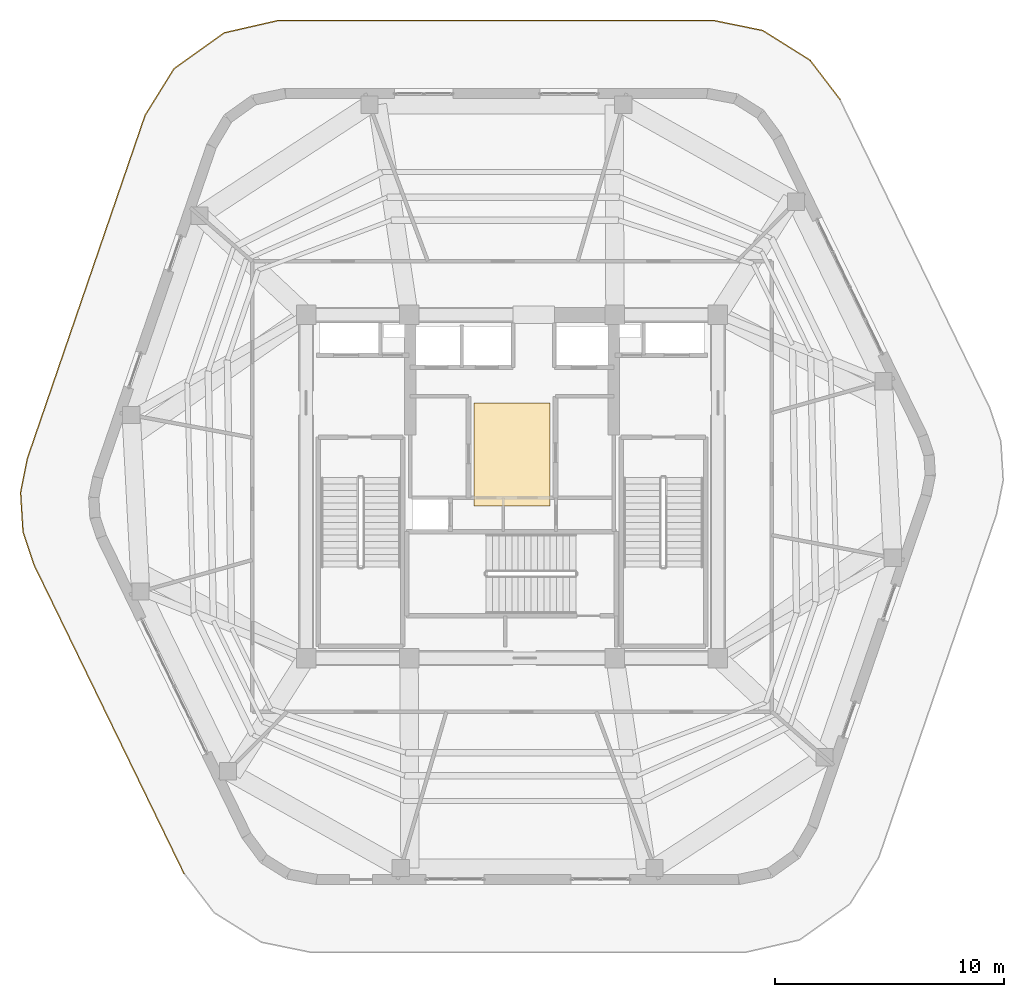
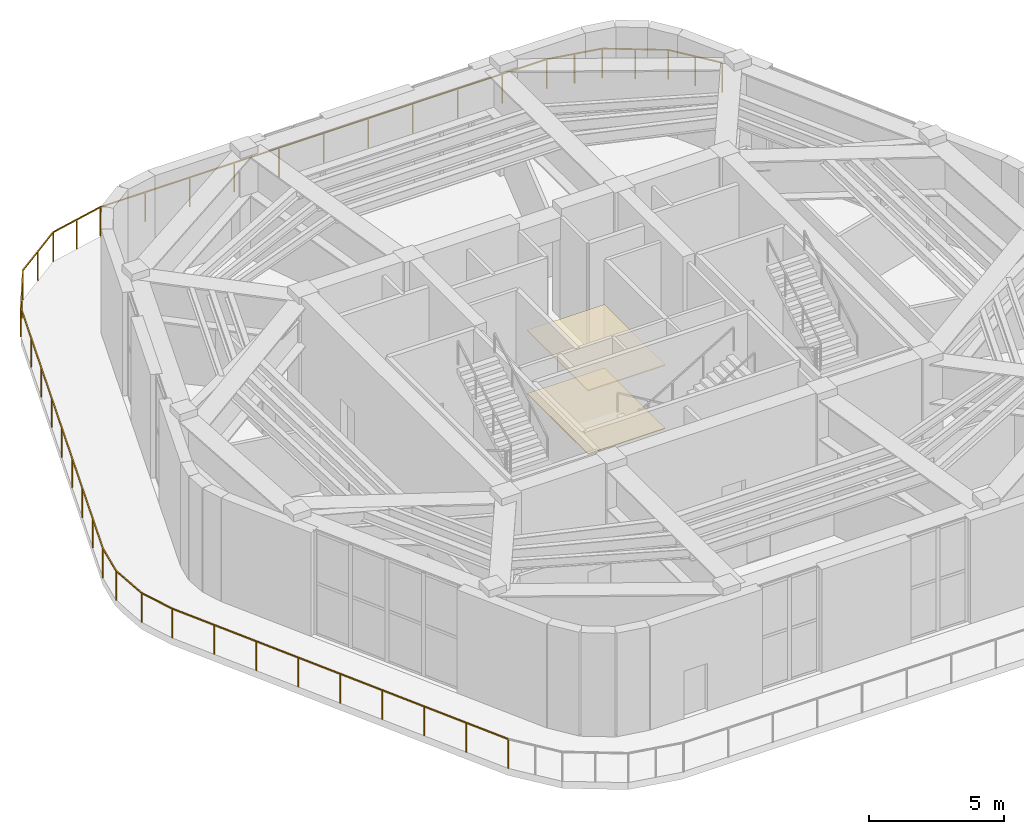
# One storey, part 23 of 24: 2 coverings, 1 railing.
"""IFC4 building model written with IfcOpenShell, lengths in metres."""

from ifc_helpers import new_model, si_unit, direction, frame, origin, origin_2d, place, context, subcontext, project, spatial, polyline, rectangle, outline, extrude, material, layer, layer_set, type_object, element, save


model = new_model("IFC4")

# Units and contexts
model_context = context("Model", 3, precision=1e-05, world=origin(), true_north=direction((0.0, 1.0)))
body_context = subcontext(model_context, "Body", "Model", "MODEL_VIEW")
ifc_project = project(units=[si_unit("LENGTHUNIT", "METRE"), si_unit("AREAUNIT", "SQUARE_METRE"), si_unit("VOLUMEUNIT", "CUBIC_METRE"), si_unit("PLANEANGLEUNIT", "RADIAN"), si_unit("MASSUNIT", "GRAM", prefix="KILO")], contexts=[model_context])

# Site, building, storey
site_placement = place(None, origin())
site = spatial("IfcSite", under=ifc_project, at=site_placement, CompositionType="ELEMENT")
building_placement = place(site_placement, origin())
building = spatial("IfcBuilding", under=site, at=building_placement, Name="Kilnhurst Terrace Hotel", CompositionType="ELEMENT")
storey_placement = place(building_placement, frame((0.0, 0.0, 305.39990234375)))
storey = spatial("IfcBuildingStorey", under=building, at=storey_placement, Name="L76", CompositionType="ELEMENT", Elevation=305.39990234375)

# Coverings
ifc_material_1 = material(Name="Perforated Micro-Acoustic Gypsum and Mineral Wool Ceiling")
ifc_layer_1 = layer(ifc_material_1, 0.050048828125, Name="Perforated Micro-Acoustic Gypsum and Mineral Wool Ceiling")
ifc_layer_set_1 = layer_set([ifc_layer_1], Name="Perforated Micro-Acoustic Gypsum and Mineral Wool Ceiling")
covering_type_1 = type_object("IfcCoveringType", Name="COV-CLG-AC60", PredefinedType="CEILING", material=ifc_layer_set_1)
covering_1_placement = place(storey_placement, frame((0.0, 0.0, 2.85009765625)))
element("IfcCovering", 1, at=covering_1_placement, inside=storey, type_object=covering_type_1, Name="L76 Lift Lobby Suspended Acoustic Ceiling", PredefinedType="CEILING", context=body_context, shape_type="SweptSolid", body=[
    extrude(outline(polyline([(-1.64990234375, -0.85009765625), (1.64990234375, -0.85009765625), (1.64990234375, 3.64990234375), (-1.64990234375, 3.64990234375), (-1.64990234375, -0.85009765625)])), origin(), (0.0, 0.0, 1.0), 0.050048828125),
])
ifc_material_2 = material(Name="Honed Texas Cream Limestone Tile Flooring", Category="masonry")
ifc_layer_2 = layer(ifc_material_2, 0.030029296875, Name="Honed Texas Cream Limestone Tile Flooring")
ifc_layer_set_2 = layer_set([ifc_layer_2], Name="Honed Texas Cream Limestone Tile Flooring")
covering_type_2 = type_object("IfcCoveringType", Name="COV-FLR-STN30", PredefinedType="FLOORING", material=ifc_layer_set_2)
covering_2_placement = place(storey_placement, origin())
element("IfcCovering", 2, at=covering_2_placement, inside=storey, type_object=covering_type_2, Name="L76 Lift Lobby Honed Limestone Flooring", PredefinedType="FLOORING", context=body_context, shape_type="SweptSolid", body=[
    extrude(outline(polyline([(-1.64990234375, -0.85009765625), (1.64990234375, -0.85009765625), (1.64990234375, 3.64990234375), (-1.64990234375, 3.64990234375), (-1.64990234375, -0.85009765625)])), origin(), (0.0, 0.0, 1.0), 0.030029296875),
])

# Railing
ifc_material_3 = material(Name="Laminated SentryGlas and Stainless Steel AISI 316L Balustrade", Category="steel")
ifc_layer_3 = layer(ifc_material_3, 0.080078125, Name="Laminated SentryGlas and Stainless Steel AISI 316L Balustrade")
ifc_layer_set_3 = layer_set([ifc_layer_3], Name="Laminated SentryGlas and Stainless Steel AISI 316L Balustrade")
railing_type = type_object("IfcRailingType", Name="RLG-OBS-1350", PredefinedType="BALUSTRADE", material=ifc_layer_set_3)
railing_placement = place(storey_placement, frame((14.336181640625, 16.916015625, 0.0)))
element("IfcRailing", 3, at=railing_placement, inside=storey, type_object=railing_type, Name="L76 Exterior Terrace Guardrail OBS-TERRACE.2", PredefinedType="BALUSTRADE", context=body_context, shape_type="SweptSolid", body=[
    extrude(rectangle(XDim=0.048095703125, YDim=0.048095703125, at=origin_2d()), frame((0.0, 0.0, 1.326171875), z_axis=(-0.607860482332, 0.794043848927, 0.0), x_axis=(-0.794043848927, -0.607860482332, 0.0)), (0.0, 0.0, 1.0), 2.16357421875),
    extrude(rectangle(XDim=0.048095703125, YDim=0.048095703125, at=origin_2d()), frame((-1.315185546875, 1.718017578125, 1.326171875), z_axis=(-0.847660710883, 0.530538706623, 0.0), x_axis=(-0.530538706623, -0.847660710883, 0.0)), (0.0, 0.0, 1.0), 2.43896484375),
    extrude(rectangle(XDim=0.048095703125, YDim=0.048095703125, at=origin_2d()), frame((-3.382568359375, 3.011962890625, 1.326171875), z_axis=(-0.979853655875, 0.199716832209, 0.0), x_axis=(-0.199716832209, -0.979853655875, 0.0)), (0.0, 0.0, 1.0), 2.163818359375),
    extrude(rectangle(XDim=0.048095703125, YDim=0.048095703125, at=origin_2d()), frame((-5.502685546875, 3.444091796875, 1.326171875), z_axis=(-1.0, 0.0, 0.0), x_axis=(0.0, -1.0, 0.0)), (0.0, 0.0, 1.0), 19.071533203125),
    extrude(rectangle(XDim=0.048095703125, YDim=0.048095703125, at=origin_2d()), frame((-24.57421875, 3.444091796875, 1.326171875), z_axis=(-0.97482878768, -0.222954781761, 0.0), x_axis=(0.222954781761, -0.97482878768, 0.0)), (0.0, 0.0, 1.0), 2.39697265625),
    extrude(rectangle(XDim=0.048095703125, YDim=0.048095703125, at=origin_2d()), frame((-26.910888671875, 2.90966796875, 1.326171875), z_axis=(-0.813806756231, -0.581135581007, 0.0), x_axis=(0.581135581007, -0.813806756231, 0.0)), (0.0, 0.0, 1.0), 2.700927734375),
    extrude(rectangle(XDim=0.048095703125, YDim=0.048095703125, at=origin_2d()), frame((-29.10888671875, 1.340087890625, 1.326171875), z_axis=(-0.52718537445, -0.849750305069, 0.0), x_axis=(0.849750305069, -0.52718537445, 0.0)), (0.0, 0.0, 1.0), 2.39697265625),
    extrude(rectangle(XDim=0.048095703125, YDim=0.048095703125, at=origin_2d()), frame((-30.37255859375, -0.69677734375, 1.326171875), z_axis=(-0.324518838659, -0.945879232965, 0.0), x_axis=(0.945879232965, -0.324518838659, 0.0)), (0.0, 0.0, 1.0), 15.851318359375),
    extrude(rectangle(XDim=0.048095703125, YDim=0.048095703125, at=origin_2d()), frame((-35.5166015625, -15.690185546875, 1.326171875), z_axis=(-0.195280843055, -0.980747364175, 0.0), x_axis=(0.980747364175, -0.195280843055, 0.0)), (0.0, 0.0, 1.0), 1.517822265625),
    extrude(rectangle(XDim=0.048095703125, YDim=0.048095703125, at=origin_2d()), frame((-35.81298828125, -17.1787109375, 1.326171875), z_axis=(0.060895492348, -0.998144147411, 0.0), x_axis=(0.998144147411, 0.060895492348, 0.0)), (0.0, 0.0, 1.0), 1.7119140625),
    extrude(rectangle(XDim=0.048095703125, YDim=0.048095703125, at=origin_2d()), frame((-35.708740234375, -18.887451171875, 1.326171875), z_axis=(0.312993062179, -0.949755412213, 0.0), x_axis=(0.949755412213, 0.312993062179, 0.0)), (0.0, 0.0, 1.0), 1.517822265625),
    extrude(rectangle(XDim=0.048095703125, YDim=0.048095703125, at=origin_2d()), frame((-35.233642578125, -20.3291015625, 1.326171875), z_axis=(0.437050199805, -0.89943711445, 0.0), x_axis=(0.89943711445, 0.437050199805, 0.0)), (0.0, 0.0, 1.0), 15.0126953125),
    extrude(rectangle(XDim=0.0419921875, YDim=0.0419921875, at=origin_2d()), origin(), (0.0, 0.0, 1.0), 1.302001953125),
    extrude(rectangle(XDim=0.0419921875, YDim=0.0419921875, at=origin_2d()), frame((-0.65771484375, 0.85888671875, 0.0)), (0.0, 0.0, 1.0), 1.302001953125),
    extrude(rectangle(XDim=0.0419921875, YDim=0.0419921875, at=origin_2d()), frame((-1.315185546875, 1.718017578125, 0.0)), (0.0, 0.0, 1.0), 1.302001953125),
    extrude(rectangle(XDim=0.0419921875, YDim=0.0419921875, at=origin_2d()), frame((-2.348876953125, 2.364990234375, 0.0)), (0.0, 0.0, 1.0), 1.302001953125),
    extrude(rectangle(XDim=0.0419921875, YDim=0.0419921875, at=origin_2d()), frame((-3.382568359375, 3.011962890625, 0.0)), (0.0, 0.0, 1.0), 1.302001953125),
    extrude(rectangle(XDim=0.0419921875, YDim=0.0419921875, at=origin_2d()), frame((-4.442626953125, 3.22802734375, 0.0)), (0.0, 0.0, 1.0), 1.302001953125),
    extrude(rectangle(XDim=0.0419921875, YDim=0.0419921875, at=origin_2d()), frame((-5.502685546875, 3.444091796875, 0.0)), (0.0, 0.0, 1.0), 1.302001953125),
    extrude(rectangle(XDim=0.0419921875, YDim=0.0419921875, at=origin_2d()), frame((-7.409912109375, 3.444091796875, 0.0)), (0.0, 0.0, 1.0), 1.302001953125),
    extrude(rectangle(XDim=0.0419921875, YDim=0.0419921875, at=origin_2d()), frame((-9.31689453125, 3.444091796875, 0.0)), (0.0, 0.0, 1.0), 1.302001953125),
    extrude(rectangle(XDim=0.0419921875, YDim=0.0419921875, at=origin_2d()), frame((-11.22412109375, 3.444091796875, 0.0)), (0.0, 0.0, 1.0), 1.302001953125),
    extrude(rectangle(XDim=0.0419921875, YDim=0.0419921875, at=origin_2d()), frame((-13.13134765625, 3.444091796875, 0.0)), (0.0, 0.0, 1.0), 1.302001953125),
    extrude(rectangle(XDim=0.0419921875, YDim=0.0419921875, at=origin_2d()), frame((-15.03857421875, 3.444091796875, 0.0)), (0.0, 0.0, 1.0), 1.302001953125),
    extrude(rectangle(XDim=0.0419921875, YDim=0.0419921875, at=origin_2d()), frame((-16.945556640625, 3.444091796875, 0.0)), (0.0, 0.0, 1.0), 1.302001953125),
    extrude(rectangle(XDim=0.0419921875, YDim=0.0419921875, at=origin_2d()), frame((-18.852783203125, 3.444091796875, 0.0)), (0.0, 0.0, 1.0), 1.302001953125),
    extrude(rectangle(XDim=0.0419921875, YDim=0.0419921875, at=origin_2d()), frame((-20.760009765625, 3.444091796875, 0.0)), (0.0, 0.0, 1.0), 1.302001953125),
    extrude(rectangle(XDim=0.0419921875, YDim=0.0419921875, at=origin_2d()), frame((-22.6669921875, 3.444091796875, 0.0)), (0.0, 0.0, 1.0), 1.302001953125),
    extrude(rectangle(XDim=0.0419921875, YDim=0.0419921875, at=origin_2d()), frame((-24.57421875, 3.444091796875, 0.0)), (0.0, 0.0, 1.0), 1.302001953125),
    extrude(rectangle(XDim=0.0419921875, YDim=0.0419921875, at=origin_2d()), frame((-25.74267578125, 3.1767578125, 0.0)), (0.0, 0.0, 1.0), 1.302001953125),
    extrude(rectangle(XDim=0.0419921875, YDim=0.0419921875, at=origin_2d()), frame((-26.910888671875, 2.90966796875, 0.0)), (0.0, 0.0, 1.0), 1.302001953125),
    extrude(rectangle(XDim=0.0419921875, YDim=0.0419921875, at=origin_2d()), frame((-28.009765625, 2.125, 0.0)), (0.0, 0.0, 1.0), 1.302001953125),
    extrude(rectangle(XDim=0.0419921875, YDim=0.0419921875, at=origin_2d()), frame((-29.10888671875, 1.340087890625, 0.0)), (0.0, 0.0, 1.0), 1.302001953125),
    extrude(rectangle(XDim=0.0419921875, YDim=0.0419921875, at=origin_2d()), frame((-29.74072265625, 0.32177734375, 0.0)), (0.0, 0.0, 1.0), 1.302001953125),
    extrude(rectangle(XDim=0.0419921875, YDim=0.0419921875, at=origin_2d()), frame((-30.37255859375, -0.69677734375, 0.0)), (0.0, 0.0, 1.0), 1.302001953125),
    extrude(rectangle(XDim=0.0419921875, YDim=0.0419921875, at=origin_2d()), frame((-31.015625, -2.571044921875, 0.0)), (0.0, 0.0, 1.0), 1.302001953125),
    extrude(rectangle(XDim=0.0419921875, YDim=0.0419921875, at=origin_2d()), frame((-31.65869140625, -4.445068359375, 0.0)), (0.0, 0.0, 1.0), 1.302001953125),
    extrude(rectangle(XDim=0.0419921875, YDim=0.0419921875, at=origin_2d()), frame((-32.301513671875, -6.3193359375, 0.0)), (0.0, 0.0, 1.0), 1.302001953125),
    extrude(rectangle(XDim=0.0419921875, YDim=0.0419921875, at=origin_2d()), frame((-32.944580078125, -8.193359375, 0.0)), (0.0, 0.0, 1.0), 1.302001953125),
    extrude(rectangle(XDim=0.0419921875, YDim=0.0419921875, at=origin_2d()), frame((-33.587646484375, -10.067626953125, 0.0)), (0.0, 0.0, 1.0), 1.302001953125),
    extrude(rectangle(XDim=0.0419921875, YDim=0.0419921875, at=origin_2d()), frame((-34.23046875, -11.94189453125, 0.0)), (0.0, 0.0, 1.0), 1.302001953125),
    extrude(rectangle(XDim=0.0419921875, YDim=0.0419921875, at=origin_2d()), frame((-34.87353515625, -13.81591796875, 0.0)), (0.0, 0.0, 1.0), 1.302001953125),
    extrude(rectangle(XDim=0.0419921875, YDim=0.0419921875, at=origin_2d()), frame((-35.5166015625, -15.690185546875, 0.0)), (0.0, 0.0, 1.0), 1.302001953125),
    extrude(rectangle(XDim=0.0419921875, YDim=0.0419921875, at=origin_2d()), frame((-35.81298828125, -17.1787109375, 0.0)), (0.0, 0.0, 1.0), 1.302001953125),
    extrude(rectangle(XDim=0.0419921875, YDim=0.0419921875, at=origin_2d()), frame((-35.708740234375, -18.887451171875, 0.0)), (0.0, 0.0, 1.0), 1.302001953125),
    extrude(rectangle(XDim=0.0419921875, YDim=0.0419921875, at=origin_2d()), frame((-35.233642578125, -20.3291015625, 0.0)), (0.0, 0.0, 1.0), 1.302001953125),
    extrude(rectangle(XDim=0.0419921875, YDim=0.0419921875, at=origin_2d()), frame((-34.41357421875, -22.01708984375, 0.0)), (0.0, 0.0, 1.0), 1.302001953125),
    extrude(rectangle(XDim=0.0419921875, YDim=0.0419921875, at=origin_2d()), frame((-33.59326171875, -23.704833984375, 0.0)), (0.0, 0.0, 1.0), 1.302001953125),
    extrude(rectangle(XDim=0.0419921875, YDim=0.0419921875, at=origin_2d()), frame((-32.773193359375, -25.392578125, 0.0)), (0.0, 0.0, 1.0), 1.302001953125),
    extrude(rectangle(XDim=0.0419921875, YDim=0.0419921875, at=origin_2d()), frame((-31.953125, -27.08056640625, 0.0)), (0.0, 0.0, 1.0), 1.302001953125),
    extrude(rectangle(XDim=0.0419921875, YDim=0.0419921875, at=origin_2d()), frame((-31.1328125, -28.7685546875, 0.0)), (0.0, 0.0, 1.0), 1.302001953125),
    extrude(rectangle(XDim=0.0419921875, YDim=0.0419921875, at=origin_2d()), frame((-30.312744140625, -30.456298828125, 0.0)), (0.0, 0.0, 1.0), 1.302001953125),
    extrude(rectangle(XDim=0.0419921875, YDim=0.0419921875, at=origin_2d()), frame((-29.492431640625, -32.14404296875, 0.0)), (0.0, 0.0, 1.0), 1.302001953125),
    extrude(rectangle(XDim=0.0419921875, YDim=0.0419921875, at=origin_2d()), frame((-28.67236328125, -33.83203125, 0.0)), (0.0, 0.0, 1.0), 1.302001953125),
])

save(model, "model.ifc")
